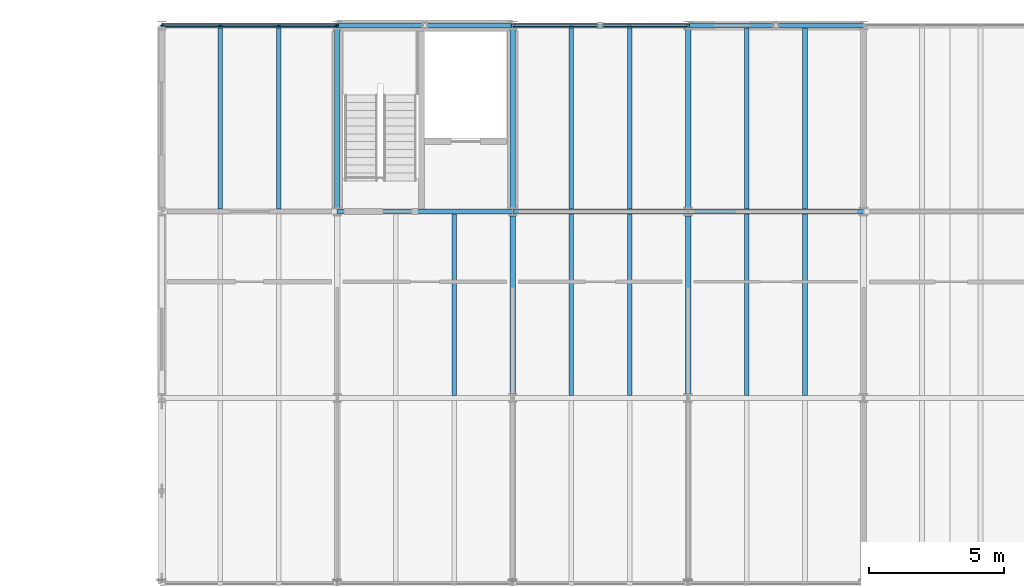
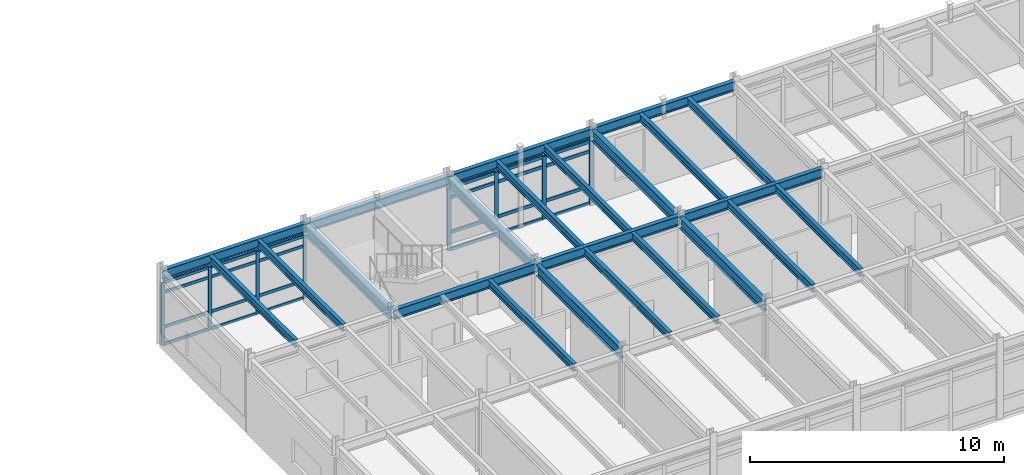
# One storey, part 21 of 49: 32 members, 23 beams, 2 elements without a shape of their own.
"""IFC4 building model written with IfcOpenShell, lengths in metres."""

from ifc_helpers import new_model, si_unit, direction, frame, origin, origin_2d, place, context, subcontext, project, spatial, rectangle, i_section, extrude, material, layer, layer_set, material_profile, profile_set, type_object, element, aggregate, save


model = new_model("IFC4")

# Units and contexts
model_context = context("Model", 3, precision=1e-05, world=origin(), true_north=direction((0.0, 1.0)))
body_context = subcontext(model_context, "Body", "Model", "MODEL_VIEW")
ifc_project = project(units=[si_unit("LENGTHUNIT", "METRE"), si_unit("AREAUNIT", "SQUARE_METRE"), si_unit("VOLUMEUNIT", "CUBIC_METRE"), si_unit("PLANEANGLEUNIT", "RADIAN"), si_unit("MASSUNIT", "GRAM", prefix="KILO")], contexts=[model_context])

# Site, building, storey
site_placement = place(None, origin())
site = spatial("IfcSite", under=ifc_project, at=site_placement, CompositionType="ELEMENT")
building_placement = place(site_placement, origin())
building = spatial("IfcBuilding", under=site, at=building_placement, Name="Trelmorton Wharf Fire Station", CompositionType="ELEMENT")
storey_placement = place(building_placement, frame((0.0, 0.0, 9.60009765625)))
storey = spatial("IfcBuildingStorey", under=building, at=storey_placement, Name="L02", CompositionType="ELEMENT", Elevation=9.60009765625)

# Beams
ifc_material_1 = material(Name="Steel Grade 350", Category="steel")
ifc_material_profile_1 = material_profile(ifc_material_1, i_section(OverallWidth=0.19091796875, OverallDepth=0.4599609375, WebThickness=0.010009765625, FlangeThickness=0.01611328125, FilletRadius=0.011474609375, at=origin_2d()), Name="460UB82.1")
ifc_profile_set_1 = profile_set([ifc_material_profile_1], Name="Steel Grade 350")
beam_type_1 = type_object("IfcBeamType", Name="BM_460UB82", PredefinedType="BEAM", material=ifc_profile_set_1)
for number, where, z_axis, x_axis, name in (
    (1, (110.50390625, 74.10009765625, 3.39990234375), (1.0, 0.0, 0.0), (0.0, 1.0, 0.0), "BM-L02-0763"),
    (2, (117.00390625, 74.10009765625, 3.39990234375), (1.0, 0.0, 0.0), (0.0, 1.0, 0.0), "BM-L02-0764"),
    (3, (123.50390625, 74.10009765625, 3.39990234375), (1.0, 0.0, 0.0), (0.0, 1.0, 0.0), "BM-L02-0765"),
):
    element("IfcBeam", number, at=place(storey_placement, frame(where, z_axis=z_axis, x_axis=x_axis)), inside=storey, type_object=beam_type_1, Name=name, PredefinedType="BEAM", context=body_context, shape_type="SweptSolid", body=[
        extrude(i_section(OverallWidth=0.19091796875, OverallDepth=0.4599609375, WebThickness=0.010009765625, FlangeThickness=0.01611328125, FilletRadius=0.011474609375, at=origin_2d()), origin(), (0.0, 0.0, 1.0), 6.4921875),
    ])
ifc_material_profile_2 = material_profile(ifc_material_1, i_section(OverallWidth=0.208984375, OverallDepth=0.532958984375, WebThickness=0.01025390625, FlangeThickness=0.015625, FilletRadius=0.013916015625, at=origin_2d()), Name="530UB92.4")
ifc_profile_set_2 = profile_set([ifc_material_profile_2], Name="Steel Grade 350")
beam_type_2 = type_object("IfcBeamType", Name="BM_530UB92", PredefinedType="BEAM", material=ifc_profile_set_2)
for number, where, z_axis, x_axis, name in (
    (4, (110.5, 74.25341796875, 3.36328125), (0.0, 1.0, 0.0), (-1.0, 0.0, 0.0), "BM-L02-0824"),
    (5, (117.0, 67.353515625, 3.36328125), (0.0, 1.0, 0.0), (-1.0, 0.0, 0.0), "BM-L02-0829"),
    (6, (117.0, 74.25341796875, 3.36328125), (0.0, 1.0, 0.0), (-1.0, 0.0, 0.0), "BM-L02-0830"),
    (7, (123.5, 67.353515625, 3.36328125), (0.0, 1.0, 0.0), (-1.0, 0.0, 0.0), "BM-L02-0835"),
    (8, (123.5, 74.25341796875, 3.36328125), (0.0, 1.0, 0.0), (-1.0, 0.0, 0.0), "BM-L02-0836"),
):
    element("IfcBeam", number, at=place(storey_placement, frame(where, z_axis=z_axis, x_axis=x_axis)), inside=storey, type_object=beam_type_2, Name=name, PredefinedType="BEAM", context=body_context, shape_type="SweptSolid", body=[
        extrude(i_section(OverallWidth=0.208984375, OverallDepth=0.532958984375, WebThickness=0.01025390625, FlangeThickness=0.015625, FilletRadius=0.013916015625, at=origin_2d()), origin(), (0.0, 0.0, 1.0), 6.593017578125),
    ])

# Curtain wall, members
ifc_material_2 = material(Name="Anodised aluminium AW-6063", Category="aluminium")
ifc_layer = layer(ifc_material_2, 0.14990234375)
ifc_layer_set = layer_set([ifc_layer], Name="Anodised aluminium AW-6063")
curtain_wall_type = type_object("IfcCurtainWallType", Name="CW_UNIT_A", PredefinedType="USERDEFINED", material=ifc_layer_set)
curtain_wall_1_placement = place(storey_placement, origin())
curtain_wall_1 = element("IfcCurtainWall", 9, at=curtain_wall_1_placement, inside=storey, type_object=curtain_wall_type, Name="CW-V4-L02-139", ObjectType="UNITISED CURTAIN WALL", PredefinedType="USERDEFINED")
ifc_material_profile_3 = material_profile(ifc_material_2, rectangle(XDim=0.06494140625, YDim=0.159912109375, at=origin_2d()), Name="ALU-65x160")
ifc_profile_set_3 = profile_set([ifc_material_profile_3], Name="Anodised aluminium AW-6063")
member_type_1 = type_object("IfcMemberType", Name="CWM_65x160", PredefinedType="MULLION", material=ifc_profile_set_3)
member_1_placement = place(storey_placement, frame((104.034912109375, 81.0, 0.0), z_axis=(0.0, 0.0, 1.0), x_axis=(0.0, 1.0, 0.0)))
member_1 = element("IfcMember", 10, at=member_1_placement, type_object=member_type_1, Name="CW3 mullion 1", PredefinedType="MULLION", context=body_context, shape_type="SweptSolid", body=[
    extrude(rectangle(XDim=0.06494140625, YDim=0.159912109375, at=origin_2d()), origin(), (0.0, 0.0, 1.0), 3.02001953125),
])
member_2_placement = place(storey_placement, frame((106.168212890625, 81.0, 0.0), z_axis=(0.0, 0.0, 1.0), x_axis=(0.0, 1.0, 0.0)))
member_2 = element("IfcMember", 11, at=member_2_placement, type_object=member_type_1, Name="CW3 mullion 2", PredefinedType="MULLION", context=body_context, shape_type="SweptSolid", body=[
    extrude(rectangle(XDim=0.06494140625, YDim=0.159912109375, at=origin_2d()), origin(), (0.0, 0.0, 1.0), 3.02001953125),
])
member_3_placement = place(storey_placement, frame((108.331787109375, 81.0, 0.0), z_axis=(0.0, 0.0, 1.0), x_axis=(0.0, 1.0, 0.0)))
member_3 = element("IfcMember", 12, at=member_3_placement, type_object=member_type_1, Name="CW3 mullion 3", PredefinedType="MULLION", context=body_context, shape_type="SweptSolid", body=[
    extrude(rectangle(XDim=0.06494140625, YDim=0.159912109375, at=origin_2d()), origin(), (0.0, 0.0, 1.0), 3.02001953125),
])
member_4_placement = place(storey_placement, frame((110.465087890625, 81.0, 0.0), z_axis=(0.0, 0.0, 1.0), x_axis=(0.0, 1.0, 0.0)))
member_4 = element("IfcMember", 13, at=member_4_placement, type_object=member_type_1, Name="CW3 mullion 4", PredefinedType="MULLION", context=body_context, shape_type="SweptSolid", body=[
    extrude(rectangle(XDim=0.06494140625, YDim=0.159912109375, at=origin_2d()), origin(), (0.0, 0.0, 1.0), 3.02001953125),
])

curtain_wall_2_placement = place(storey_placement, origin())
curtain_wall_2 = element("IfcCurtainWall", 14, at=curtain_wall_2_placement, inside=storey, type_object=curtain_wall_type, Name="CW-V4-L02-140", ObjectType="UNITISED CURTAIN WALL", PredefinedType="USERDEFINED")
ifc_material_profile_4 = material_profile(ifc_material_2, rectangle(XDim=0.074951171875, YDim=0.175048828125, at=origin_2d()), Name="ALU-75x175")
ifc_profile_set_4 = profile_set([ifc_material_profile_4], Name="Anodised aluminium AW-6063")
member_type_2 = type_object("IfcMemberType", Name="CWM_75x175", PredefinedType="MULLION", material=ifc_profile_set_4)
member_5_placement = place(storey_placement, frame((117.034912109375, 81.0, 0.0), z_axis=(0.0, 0.0, 1.0), x_axis=(0.0, 1.0, 0.0)))
member_5 = element("IfcMember", 15, at=member_5_placement, type_object=member_type_2, Name="CW3 mullion 1", PredefinedType="MULLION", context=body_context, shape_type="SweptSolid", body=[
    extrude(rectangle(XDim=0.074951171875, YDim=0.175048828125, at=origin_2d()), origin(), (0.0, 0.0, 1.0), 3.02001953125),
])
member_6_placement = place(storey_placement, frame((119.168212890625, 81.0, 0.0), z_axis=(0.0, 0.0, 1.0), x_axis=(0.0, 1.0, 0.0)))
member_6 = element("IfcMember", 16, at=member_6_placement, type_object=member_type_2, Name="CW3 mullion 2", PredefinedType="MULLION", context=body_context, shape_type="SweptSolid", body=[
    extrude(rectangle(XDim=0.074951171875, YDim=0.175048828125, at=origin_2d()), origin(), (0.0, 0.0, 1.0), 3.02001953125),
])
member_7_placement = place(storey_placement, frame((121.331787109375, 81.0, 0.0), z_axis=(0.0, 0.0, 1.0), x_axis=(0.0, 1.0, 0.0)))
member_7 = element("IfcMember", 17, at=member_7_placement, type_object=member_type_2, Name="CW3 mullion 3", PredefinedType="MULLION", context=body_context, shape_type="SweptSolid", body=[
    extrude(rectangle(XDim=0.074951171875, YDim=0.175048828125, at=origin_2d()), origin(), (0.0, 0.0, 1.0), 3.02001953125),
])
member_8_placement = place(storey_placement, frame((123.465087890625, 81.0, 0.0), z_axis=(0.0, 0.0, 1.0), x_axis=(0.0, 1.0, 0.0)))
member_8 = element("IfcMember", 18, at=member_8_placement, type_object=member_type_2, Name="CW3 mullion 4", PredefinedType="MULLION", context=body_context, shape_type="SweptSolid", body=[
    extrude(rectangle(XDim=0.074951171875, YDim=0.175048828125, at=origin_2d()), origin(), (0.0, 0.0, 1.0), 3.02001953125),
])

# Member
ifc_material_profile_5 = material_profile(ifc_material_2, rectangle(XDim=0.06494140625, YDim=0.139892578125, at=origin_2d()), Name="ALU-65x140")
ifc_profile_set_5 = profile_set([ifc_material_profile_5], Name="Anodised aluminium AW-6063")
member_type_3 = type_object("IfcMemberType", Name="CWT_65x140", PredefinedType="USERDEFINED", material=ifc_profile_set_5)
member_9_placement = place(storey_placement, frame((104.06494140625, 81.0, 0.02978515625), z_axis=(1.0, 0.0, 0.0), x_axis=(0.0, 1.0, 0.0)))
member_9 = element("IfcMember", 19, at=member_9_placement, type_object=member_type_3, Name="CW3 transom 1.1", ObjectType="TRANSOM", PredefinedType="USERDEFINED", context=body_context, shape_type="SweptSolid", body=[
    extrude(rectangle(XDim=0.06494140625, YDim=0.139892578125, at=origin_2d()), origin(), (0.0, 0.0, 1.0), 2.073486328125),
])

member_10_placement = place(storey_placement, frame((104.06494140625, 81.0, 0.849853515625), z_axis=(1.0, 0.0, 0.0), x_axis=(0.0, 1.0, 0.0)))
member_10 = element("IfcMember", 20, at=member_10_placement, type_object=member_type_3, Name="CW3 transom 1.2", ObjectType="TRANSOM", PredefinedType="USERDEFINED", context=body_context, shape_type="SweptSolid", body=[
    extrude(rectangle(XDim=0.06494140625, YDim=0.139892578125, at=origin_2d()), origin(), (0.0, 0.0, 1.0), 2.073486328125),
])

member_11_placement = place(storey_placement, frame((104.06494140625, 81.0, 2.52001953125), z_axis=(1.0, 0.0, 0.0), x_axis=(0.0, 1.0, 0.0)))
member_11 = element("IfcMember", 21, at=member_11_placement, type_object=member_type_3, Name="CW3 transom 1.3", ObjectType="TRANSOM", PredefinedType="USERDEFINED", context=body_context, shape_type="SweptSolid", body=[
    extrude(rectangle(XDim=0.06494140625, YDim=0.139892578125, at=origin_2d()), origin(), (0.0, 0.0, 1.0), 2.073486328125),
])

member_12_placement = place(storey_placement, frame((104.06494140625, 81.0, 2.989990234375), z_axis=(1.0, 0.0, 0.0), x_axis=(0.0, 1.0, 0.0)))
member_12 = element("IfcMember", 22, at=member_12_placement, type_object=member_type_3, Name="CW3 transom 1.4", ObjectType="TRANSOM", PredefinedType="USERDEFINED", context=body_context, shape_type="SweptSolid", body=[
    extrude(rectangle(XDim=0.06494140625, YDim=0.139892578125, at=origin_2d()), origin(), (0.0, 0.0, 1.0), 2.073486328125),
])

member_13_placement = place(storey_placement, frame((106.1982421875, 81.0, 0.02978515625), z_axis=(1.0, 0.0, 0.0), x_axis=(0.0, 1.0, 0.0)))
member_13 = element("IfcMember", 23, at=member_13_placement, type_object=member_type_3, Name="CW3 transom 2.1", ObjectType="TRANSOM", PredefinedType="USERDEFINED", context=body_context, shape_type="SweptSolid", body=[
    extrude(rectangle(XDim=0.06494140625, YDim=0.139892578125, at=origin_2d()), origin(), (0.0, 0.0, 1.0), 2.103515625),
])

member_14_placement = place(storey_placement, frame((106.1982421875, 81.0, 0.849853515625), z_axis=(1.0, 0.0, 0.0), x_axis=(0.0, 1.0, 0.0)))
member_14 = element("IfcMember", 24, at=member_14_placement, type_object=member_type_3, Name="CW3 transom 2.2", ObjectType="TRANSOM", PredefinedType="USERDEFINED", context=body_context, shape_type="SweptSolid", body=[
    extrude(rectangle(XDim=0.06494140625, YDim=0.139892578125, at=origin_2d()), origin(), (0.0, 0.0, 1.0), 2.103515625),
])

member_15_placement = place(storey_placement, frame((106.1982421875, 81.0, 2.52001953125), z_axis=(1.0, 0.0, 0.0), x_axis=(0.0, 1.0, 0.0)))
member_15 = element("IfcMember", 25, at=member_15_placement, type_object=member_type_3, Name="CW3 transom 2.3", ObjectType="TRANSOM", PredefinedType="USERDEFINED", context=body_context, shape_type="SweptSolid", body=[
    extrude(rectangle(XDim=0.06494140625, YDim=0.139892578125, at=origin_2d()), origin(), (0.0, 0.0, 1.0), 2.103515625),
])

member_16_placement = place(storey_placement, frame((106.1982421875, 81.0, 2.989990234375), z_axis=(1.0, 0.0, 0.0), x_axis=(0.0, 1.0, 0.0)))
member_16 = element("IfcMember", 26, at=member_16_placement, type_object=member_type_3, Name="CW3 transom 2.4", ObjectType="TRANSOM", PredefinedType="USERDEFINED", context=body_context, shape_type="SweptSolid", body=[
    extrude(rectangle(XDim=0.06494140625, YDim=0.139892578125, at=origin_2d()), origin(), (0.0, 0.0, 1.0), 2.103515625),
])

member_17_placement = place(storey_placement, frame((108.361572265625, 81.0, 0.02978515625), z_axis=(1.0, 0.0, 0.0), x_axis=(0.0, 1.0, 0.0)))
member_17 = element("IfcMember", 27, at=member_17_placement, type_object=member_type_3, Name="CW3 transom 3.1", ObjectType="TRANSOM", PredefinedType="USERDEFINED", context=body_context, shape_type="SweptSolid", body=[
    extrude(rectangle(XDim=0.06494140625, YDim=0.139892578125, at=origin_2d()), origin(), (0.0, 0.0, 1.0), 2.073486328125),
])

member_18_placement = place(storey_placement, frame((108.361572265625, 81.0, 0.849853515625), z_axis=(1.0, 0.0, 0.0), x_axis=(0.0, 1.0, 0.0)))
member_18 = element("IfcMember", 28, at=member_18_placement, type_object=member_type_3, Name="CW3 transom 3.2", ObjectType="TRANSOM", PredefinedType="USERDEFINED", context=body_context, shape_type="SweptSolid", body=[
    extrude(rectangle(XDim=0.06494140625, YDim=0.139892578125, at=origin_2d()), origin(), (0.0, 0.0, 1.0), 2.073486328125),
])

member_19_placement = place(storey_placement, frame((108.361572265625, 81.0, 2.52001953125), z_axis=(1.0, 0.0, 0.0), x_axis=(0.0, 1.0, 0.0)))
member_19 = element("IfcMember", 29, at=member_19_placement, type_object=member_type_3, Name="CW3 transom 3.3", ObjectType="TRANSOM", PredefinedType="USERDEFINED", context=body_context, shape_type="SweptSolid", body=[
    extrude(rectangle(XDim=0.06494140625, YDim=0.139892578125, at=origin_2d()), origin(), (0.0, 0.0, 1.0), 2.073486328125),
])

member_20_placement = place(storey_placement, frame((108.361572265625, 81.0, 2.989990234375), z_axis=(1.0, 0.0, 0.0), x_axis=(0.0, 1.0, 0.0)))
member_20 = element("IfcMember", 30, at=member_20_placement, type_object=member_type_3, Name="CW3 transom 3.4", ObjectType="TRANSOM", PredefinedType="USERDEFINED", context=body_context, shape_type="SweptSolid", body=[
    extrude(rectangle(XDim=0.06494140625, YDim=0.139892578125, at=origin_2d()), origin(), (0.0, 0.0, 1.0), 2.073486328125),
])

aggregate(curtain_wall_1, [member_1, member_2, member_3, member_4, member_9, member_10, member_11, member_12, member_13, member_14, member_15, member_16, member_17, member_18, member_19, member_20])

ifc_material_profile_6 = material_profile(ifc_material_2, rectangle(XDim=0.074951171875, YDim=0.155029296875, at=origin_2d()), Name="ALU-75x155")
ifc_profile_set_6 = profile_set([ifc_material_profile_6], Name="Anodised aluminium AW-6063")
member_type_4 = type_object("IfcMemberType", Name="CWT_75x155", PredefinedType="USERDEFINED", material=ifc_profile_set_6)
member_21_placement = place(storey_placement, frame((117.06494140625, 81.0, 0.02978515625), z_axis=(1.0, 0.0, 0.0), x_axis=(0.0, 1.0, 0.0)))
member_21 = element("IfcMember", 31, at=member_21_placement, type_object=member_type_4, Name="CW3 transom 1.1", ObjectType="TRANSOM", PredefinedType="USERDEFINED", context=body_context, shape_type="SweptSolid", body=[
    extrude(rectangle(XDim=0.074951171875, YDim=0.155029296875, at=origin_2d()), origin(), (0.0, 0.0, 1.0), 2.073486328125),
])

member_22_placement = place(storey_placement, frame((117.06494140625, 81.0, 0.849853515625), z_axis=(1.0, 0.0, 0.0), x_axis=(0.0, 1.0, 0.0)))
member_22 = element("IfcMember", 32, at=member_22_placement, type_object=member_type_4, Name="CW3 transom 1.2", ObjectType="TRANSOM", PredefinedType="USERDEFINED", context=body_context, shape_type="SweptSolid", body=[
    extrude(rectangle(XDim=0.074951171875, YDim=0.155029296875, at=origin_2d()), origin(), (0.0, 0.0, 1.0), 2.073486328125),
])

member_23_placement = place(storey_placement, frame((117.06494140625, 81.0, 2.52001953125), z_axis=(1.0, 0.0, 0.0), x_axis=(0.0, 1.0, 0.0)))
member_23 = element("IfcMember", 33, at=member_23_placement, type_object=member_type_4, Name="CW3 transom 1.3", ObjectType="TRANSOM", PredefinedType="USERDEFINED", context=body_context, shape_type="SweptSolid", body=[
    extrude(rectangle(XDim=0.074951171875, YDim=0.155029296875, at=origin_2d()), origin(), (0.0, 0.0, 1.0), 2.073486328125),
])

member_24_placement = place(storey_placement, frame((117.06494140625, 81.0, 2.989990234375), z_axis=(1.0, 0.0, 0.0), x_axis=(0.0, 1.0, 0.0)))
member_24 = element("IfcMember", 34, at=member_24_placement, type_object=member_type_4, Name="CW3 transom 1.4", ObjectType="TRANSOM", PredefinedType="USERDEFINED", context=body_context, shape_type="SweptSolid", body=[
    extrude(rectangle(XDim=0.074951171875, YDim=0.155029296875, at=origin_2d()), origin(), (0.0, 0.0, 1.0), 2.073486328125),
])

member_25_placement = place(storey_placement, frame((119.1982421875, 81.0, 0.02978515625), z_axis=(1.0, 0.0, 0.0), x_axis=(0.0, 1.0, 0.0)))
member_25 = element("IfcMember", 35, at=member_25_placement, type_object=member_type_4, Name="CW3 transom 2.1", ObjectType="TRANSOM", PredefinedType="USERDEFINED", context=body_context, shape_type="SweptSolid", body=[
    extrude(rectangle(XDim=0.074951171875, YDim=0.155029296875, at=origin_2d()), origin(), (0.0, 0.0, 1.0), 2.103515625),
])

member_26_placement = place(storey_placement, frame((119.1982421875, 81.0, 0.849853515625), z_axis=(1.0, 0.0, 0.0), x_axis=(0.0, 1.0, 0.0)))
member_26 = element("IfcMember", 36, at=member_26_placement, type_object=member_type_4, Name="CW3 transom 2.2", ObjectType="TRANSOM", PredefinedType="USERDEFINED", context=body_context, shape_type="SweptSolid", body=[
    extrude(rectangle(XDim=0.074951171875, YDim=0.155029296875, at=origin_2d()), origin(), (0.0, 0.0, 1.0), 2.103515625),
])

member_27_placement = place(storey_placement, frame((119.1982421875, 81.0, 2.52001953125), z_axis=(1.0, 0.0, 0.0), x_axis=(0.0, 1.0, 0.0)))
member_27 = element("IfcMember", 37, at=member_27_placement, type_object=member_type_4, Name="CW3 transom 2.3", ObjectType="TRANSOM", PredefinedType="USERDEFINED", context=body_context, shape_type="SweptSolid", body=[
    extrude(rectangle(XDim=0.074951171875, YDim=0.155029296875, at=origin_2d()), origin(), (0.0, 0.0, 1.0), 2.103515625),
])

member_28_placement = place(storey_placement, frame((119.1982421875, 81.0, 2.989990234375), z_axis=(1.0, 0.0, 0.0), x_axis=(0.0, 1.0, 0.0)))
member_28 = element("IfcMember", 38, at=member_28_placement, type_object=member_type_4, Name="CW3 transom 2.4", ObjectType="TRANSOM", PredefinedType="USERDEFINED", context=body_context, shape_type="SweptSolid", body=[
    extrude(rectangle(XDim=0.074951171875, YDim=0.155029296875, at=origin_2d()), origin(), (0.0, 0.0, 1.0), 2.103515625),
])

member_29_placement = place(storey_placement, frame((121.361572265625, 81.0, 0.02978515625), z_axis=(1.0, 0.0, 0.0), x_axis=(0.0, 1.0, 0.0)))
member_29 = element("IfcMember", 39, at=member_29_placement, type_object=member_type_4, Name="CW3 transom 3.1", ObjectType="TRANSOM", PredefinedType="USERDEFINED", context=body_context, shape_type="SweptSolid", body=[
    extrude(rectangle(XDim=0.074951171875, YDim=0.155029296875, at=origin_2d()), origin(), (0.0, 0.0, 1.0), 2.073486328125),
])

member_30_placement = place(storey_placement, frame((121.361572265625, 81.0, 0.849853515625), z_axis=(1.0, 0.0, 0.0), x_axis=(0.0, 1.0, 0.0)))
member_30 = element("IfcMember", 40, at=member_30_placement, type_object=member_type_4, Name="CW3 transom 3.2", ObjectType="TRANSOM", PredefinedType="USERDEFINED", context=body_context, shape_type="SweptSolid", body=[
    extrude(rectangle(XDim=0.074951171875, YDim=0.155029296875, at=origin_2d()), origin(), (0.0, 0.0, 1.0), 2.073486328125),
])

member_31_placement = place(storey_placement, frame((121.361572265625, 81.0, 2.52001953125), z_axis=(1.0, 0.0, 0.0), x_axis=(0.0, 1.0, 0.0)))
member_31 = element("IfcMember", 41, at=member_31_placement, type_object=member_type_4, Name="CW3 transom 3.3", ObjectType="TRANSOM", PredefinedType="USERDEFINED", context=body_context, shape_type="SweptSolid", body=[
    extrude(rectangle(XDim=0.074951171875, YDim=0.155029296875, at=origin_2d()), origin(), (0.0, 0.0, 1.0), 2.073486328125),
])

member_32_placement = place(storey_placement, frame((121.361572265625, 81.0, 2.989990234375), z_axis=(1.0, 0.0, 0.0), x_axis=(0.0, 1.0, 0.0)))
member_32 = element("IfcMember", 42, at=member_32_placement, type_object=member_type_4, Name="CW3 transom 3.4", ObjectType="TRANSOM", PredefinedType="USERDEFINED", context=body_context, shape_type="SweptSolid", body=[
    extrude(rectangle(XDim=0.074951171875, YDim=0.155029296875, at=origin_2d()), origin(), (0.0, 0.0, 1.0), 2.073486328125),
])

aggregate(curtain_wall_2, [member_5, member_6, member_7, member_8, member_21, member_22, member_23, member_24, member_25, member_26, member_27, member_28, member_29, member_30, member_31, member_32])

# Beams
ifc_material_profile_7 = material_profile(ifc_material_1, i_section(OverallWidth=0.172119140625, OverallDepth=0.35888671875, WebThickness=0.008056640625, FlangeThickness=0.012939453125, FilletRadius=0.011474609375, at=origin_2d()), Name="360UB56.7")
ifc_profile_set_7 = profile_set([ifc_material_profile_7], Name="Steel Grade 350")
beam_type_3 = type_object("IfcBeamType", Name="JS_360UB57", PredefinedType="JOIST", material=ifc_profile_set_7)
for number, where, z_axis, x_axis, name in (
    (43, (106.166748046875, 74.18994140625, 3.450439453125), (0.0, 1.0, 0.0), (-1.0, 0.0, 0.0), "JS-L02-0247"),
    (44, (108.333251953125, 74.18994140625, 3.450439453125), (0.0, 1.0, 0.0), (-1.0, 0.0, 0.0), "JS-L02-0248"),
    (45, (114.833251953125, 67.2900390625, 3.450439453125), (0.0, 1.0, 0.0), (-1.0, 0.0, 0.0), "JS-L02-0256"),
    (46, (119.166748046875, 67.2900390625, 3.450439453125), (0.0, 1.0, 0.0), (-1.0, 0.0, 0.0), "JS-L02-0263"),
    (47, (121.333251953125, 67.2900390625, 3.450439453125), (0.0, 1.0, 0.0), (-1.0, 0.0, 0.0), "JS-L02-0264"),
    (48, (119.166748046875, 74.18994140625, 3.450439453125), (0.0, 1.0, 0.0), (-1.0, 0.0, 0.0), "JS-L02-0265"),
    (49, (121.333251953125, 74.18994140625, 3.450439453125), (0.0, 1.0, 0.0), (-1.0, 0.0, 0.0), "JS-L02-0266"),
    (50, (125.666748046875, 67.2900390625, 3.450439453125), (0.0, 1.0, 0.0), (-1.0, 0.0, 0.0), "JS-L02-0275"),
    (51, (127.833251953125, 67.2900390625, 3.450439453125), (0.0, 1.0, 0.0), (-1.0, 0.0, 0.0), "JS-L02-0276"),
    (52, (125.666748046875, 74.18994140625, 3.450439453125), (0.0, 1.0, 0.0), (-1.0, 0.0, 0.0), "JS-L02-0277"),
    (53, (127.833251953125, 74.18994140625, 3.450439453125), (0.0, 1.0, 0.0), (-1.0, 0.0, 0.0), "JS-L02-0278"),
):
    element("IfcBeam", number, at=place(storey_placement, frame(where, z_axis=z_axis, x_axis=x_axis)), inside=storey, type_object=beam_type_3, Name=name, PredefinedType="JOIST", context=body_context, shape_type="SweptSolid", body=[
        extrude(i_section(OverallWidth=0.172119140625, OverallDepth=0.35888671875, WebThickness=0.008056640625, FlangeThickness=0.012939453125, FilletRadius=0.011474609375, at=origin_2d()), origin(), (0.0, 0.0, 1.0), 6.719970703125),
    ])
ifc_material_profile_8 = material_profile(ifc_material_1, i_section(OverallWidth=0.18994140625, OverallDepth=0.45703125, WebThickness=0.009033203125, FlangeThickness=0.014404296875, FilletRadius=0.011474609375, at=origin_2d()), Name="460UB74.6")
ifc_profile_set_8 = profile_set([ifc_material_profile_8], Name="Steel Grade 350")
beam_type_4 = type_object("IfcBeamType", Name="SP_460UB75", PredefinedType="SPANDREL", material=ifc_profile_set_8)
for number, where, z_axis, x_axis, name in (
    (54, (104.00390625, 81.0, 3.4013671875), (1.0, 0.0, 0.0), (0.0, 1.0, 0.0), "BM-L02-0775"),
    (55, (110.50390625, 81.0, 3.4013671875), (1.0, 0.0, 0.0), (0.0, 1.0, 0.0), "BM-L02-0776"),
    (56, (117.00390625, 81.0, 3.4013671875), (1.0, 0.0, 0.0), (0.0, 1.0, 0.0), "BM-L02-0777"),
    (57, (123.50390625, 81.0, 3.4013671875), (1.0, 0.0, 0.0), (0.0, 1.0, 0.0), "BM-L02-0778"),
):
    element("IfcBeam", number, at=place(storey_placement, frame(where, z_axis=z_axis, x_axis=x_axis)), inside=storey, type_object=beam_type_4, Name=name, PredefinedType="SPANDREL", context=body_context, shape_type="SweptSolid", body=[
        extrude(i_section(OverallWidth=0.18994140625, OverallDepth=0.45703125, WebThickness=0.009033203125, FlangeThickness=0.014404296875, FilletRadius=0.011474609375, at=origin_2d()), origin(), (0.0, 0.0, 1.0), 6.4921875),
    ])

save(model, "model.ifc")
